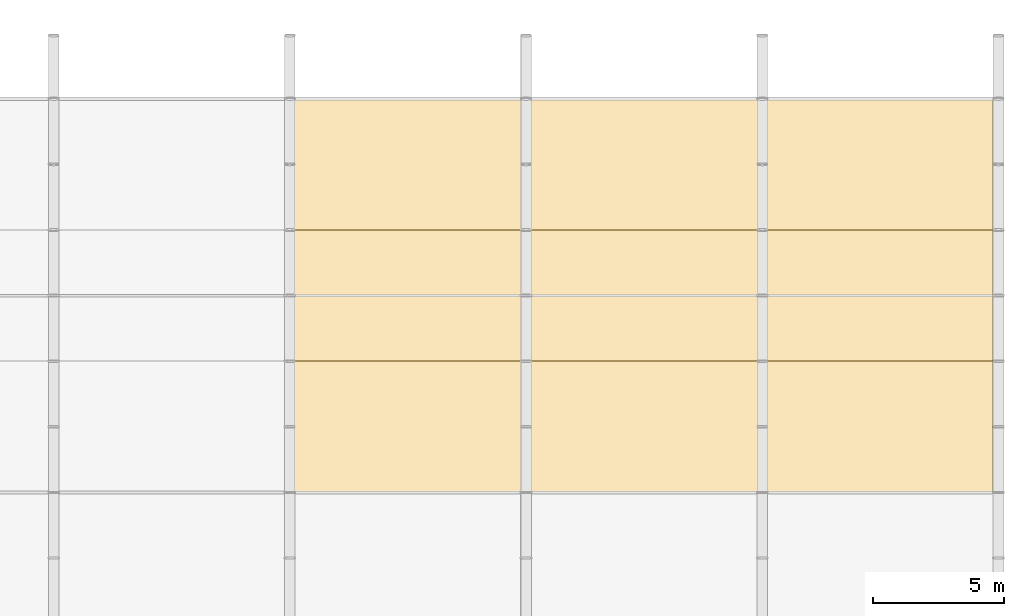
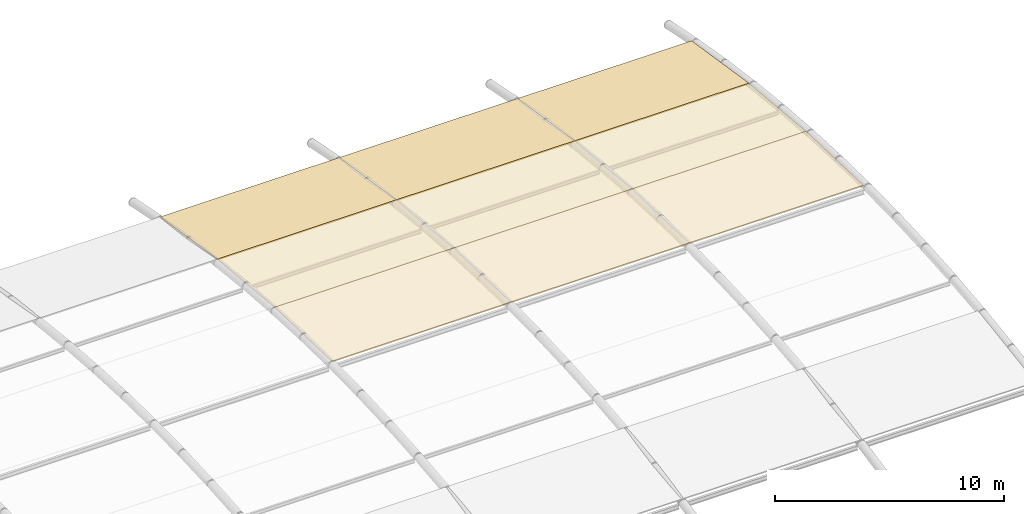
# One storey, part 104 of 105: 9 coverings.
"""IFC4 building model written with IfcOpenShell, lengths in metres."""

import ifcopenshell
import ifcopenshell.guid

model = None  # the IFC model being written
_history = None  # IfcOwnerHistory: only IFC2X3 demands one
_inside = {}  # id of a spatial element -> (the spatial element, [elements in it])
_under = {}  # id of a project, library or spatial element -> (it, [spatial elements below it])
_declared = {}  # id of a project -> (the project, [libraries it declares])
_typed = {}  # id of a type object -> (the type object, [elements of that type])
_made_of = {}  # id of a material, layer set ... -> (it, [elements and type objects made of it])


def new_model(schema):
    """Start an empty IFC model of exactly this schema.

    Asked for "IFC4X3", IfcOpenShell would pick the latest addendum, in which some entities
    have other attributes; the version numbers below select the first issue.
    IFC2X3 requires an IfcOwnerHistory on every rooted entity: one is made here for all.
    """
    global model, _history
    if schema == "IFC4X3":
        model = ifcopenshell.file(schema_version=(4, 3, 0, 0))
    else:
        model = ifcopenshell.file(schema=schema)
    _inside.clear()
    _under.clear()
    _declared.clear()
    _typed.clear()
    _made_of.clear()
    _history = None
    if model.schema == "IFC2X3":
        org = make("IfcOrganization", Name="unknown")
        user = make(
            "IfcPersonAndOrganization",
            ThePerson=make("IfcPerson", FamilyName="unknown"),
            TheOrganization=org,
        )
        app = make(
            "IfcApplication",
            ApplicationDeveloper=org,
            Version="unknown",
            ApplicationFullName="unknown",
            ApplicationIdentifier="unknown",
        )
        _history = make(
            "IfcOwnerHistory",
            OwningUser=user,
            OwningApplication=app,
            ChangeAction="ADDED",
            CreationDate=0,
        )
    return model


def make(cls, **values):
    """One entity of the class cls with the attributes given. An attribute that is None is left unset."""
    return model.create_entity(
        cls, **{name: value for name, value in values.items() if value is not None}
    )


def rooted(cls, **values):
    """An entity with a GlobalId (a new one), such as an element, a storey or a relation."""
    return make(cls, GlobalId=ifcopenshell.guid.new(), OwnerHistory=_history, **values)


def si_unit(unit_type, name, prefix=None):
    """IfcSIUnit, for example si_unit("LENGTHUNIT", "METRE", prefix="MILLI")."""
    return make("IfcSIUnit", UnitType=unit_type, Prefix=prefix, Name=name)


def assignment(units):
    """IfcUnitAssignment: the units of a project."""
    return None if units is None else make("IfcUnitAssignment", Units=units)


def point(xyz):
    """IfcCartesianPoint."""
    return None if xyz is None else make("IfcCartesianPoint", Coordinates=xyz)


def direction(xyz):
    """IfcDirection."""
    return None if xyz is None else make("IfcDirection", DirectionRatios=xyz)


def frame(location, z_axis=None, x_axis=None):
    """IfcAxis2Placement3D, a coordinate frame: its origin and axes. An axis left out is left unset."""
    return make(
        "IfcAxis2Placement3D",
        Location=point(location),
        Axis=direction(z_axis),
        RefDirection=direction(x_axis),
    )


def origin():
    """The frame at (0, 0, 0) with its axes left unset."""
    return frame((0.0, 0.0, 0.0))


def place(relative_to, where):
    """IfcLocalPlacement: puts the frame where relative to a parent placement (None: the world)."""
    return make(
        "IfcLocalPlacement", PlacementRelTo=relative_to, RelativePlacement=where
    )


def context(
    kind, dimensions, precision=None, world=None, true_north=None, identifier=None
):
    """IfcGeometricRepresentationContext, for example the 3D "Model" context."""
    return make(
        "IfcGeometricRepresentationContext",
        ContextIdentifier=identifier,
        ContextType=kind,
        CoordinateSpaceDimension=dimensions,
        Precision=precision,
        WorldCoordinateSystem=world,
        TrueNorth=true_north,
    )


def subcontext(parent, identifier, kind, view, scale=None):
    """IfcGeometricRepresentationSubContext, for example "Body" below "Model"."""
    return make(
        "IfcGeometricRepresentationSubContext",
        ContextIdentifier=identifier,
        ContextType=kind,
        ParentContext=parent,
        TargetScale=scale,
        TargetView=view,
    )


def project(units=None, contexts=None):
    """IfcProject with its units and contexts."""
    return rooted(
        "IfcProject",
        Name="project",
        RepresentationContexts=contexts,
        UnitsInContext=assignment(units),
    )


def spatial(cls, under=None, at=None, **own):
    """A site, building, storey or space (cls), placed at a placement, below another one or the project."""
    s = rooted(cls, ObjectPlacement=at, **own)
    if under is not None:
        _under.setdefault(under.id(), (under, []))[1].append(s)
    return s


def polyline(points):
    """IfcPolyline through the points."""
    return make("IfcPolyline", Points=[point(p) for p in points])


def outline(outer, holes=None, kind="AREA"):
    """IfcArbitraryClosedProfileDef: a profile drawn as a closed curve; with holes, ...WithVoids."""
    if holes is None:
        return make("IfcArbitraryClosedProfileDef", ProfileType=kind, OuterCurve=outer)
    return make(
        "IfcArbitraryProfileDefWithVoids",
        ProfileType=kind,
        OuterCurve=outer,
        InnerCurves=holes,
    )


def extrude(swept, where, along, depth):
    """IfcExtrudedAreaSolid: the profile swept, set in the frame where, extruded along a direction by depth."""
    return make(
        "IfcExtrudedAreaSolid",
        SweptArea=swept,
        Position=where,
        ExtrudedDirection=direction(along),
        Depth=depth,
    )


def shape(context_of_items, identifier, shape_type, items):
    """IfcShapeRepresentation: the items that make up one representation, for example the "Body"."""
    return make(
        "IfcShapeRepresentation",
        ContextOfItems=context_of_items,
        RepresentationIdentifier=identifier,
        RepresentationType=shape_type,
        Items=items,
    )


def material(Name=None, Category=None):
    """IfcMaterial."""
    return make("IfcMaterial", Name=Name, Category=Category)


def layer(
    of_material, thickness, ventilated=None, Name=None, Category=None, Priority=None
):
    """IfcMaterialLayer: one layer of a wall or slab, of a material (None: an air gap)."""
    return make(
        "IfcMaterialLayer",
        Material=of_material,
        LayerThickness=thickness,
        IsVentilated=ventilated,
        Name=Name,
        Category=Category,
        Priority=Priority,
    )


def layer_set(layers, Name=None):
    """IfcMaterialLayerSet."""
    return make("IfcMaterialLayerSet", MaterialLayers=layers, LayerSetName=Name)


def made_of(thing, what):
    """Note that an element or type object is made of a material, layer set ...; save() writes the relation."""
    if what is not None:
        _made_of.setdefault(what.id(), (what, []))[1].append(thing)
    return thing


def type_object(cls, material=None, **own):
    """A type object (cls), such as IfcWallType, which elements share."""
    return made_of(rooted(cls, **own), material)


def element(
    cls,
    number,
    at=None,
    inside=None,
    cuts=None,
    type_object=None,
    material=None,
    context=None,
    identifier="Body",
    shape_type=None,
    held_by="IfcProductDefinitionShape",
    body=None,
    shapes=None,
    **own,
):
    """One element of the class cls, such as IfcWall. Its Tag is "e" and its number.

    at: its placement. inside: the storey or other place that contains it. cuts: it is an
    opening in that element (IfcRelVoidsElement). A single representation is given by context,
    identifier, shape_type and body (its items); several are given by shapes. held_by: the class
    of the entity that holds the representations. save() writes the other relations.
    """
    e = rooted(cls, Tag="e%d" % number, ObjectPlacement=at, **own)
    if body is not None:
        shapes = [shape(context, identifier, shape_type, body)]
    if shapes is not None:
        e.Representation = make(held_by, Representations=shapes)
    if inside is not None:
        _inside.setdefault(inside.id(), (inside, []))[1].append(e)
    if cuts is not None:
        rooted(
            "IfcRelVoidsElement", RelatingBuildingElement=cuts, RelatedOpeningElement=e
        )
    if type_object is not None:
        _typed.setdefault(type_object.id(), (type_object, []))[1].append(e)
    return made_of(e, material)


def aggregate(whole, parts):
    """IfcRelAggregates: a whole, such as a stair, and the parts it consists of."""
    return rooted("IfcRelAggregates", RelatingObject=whole, RelatedObjects=parts)


def save(model, path):
    """Write the relations noted so far, then the file.

    IfcRelAggregates (storeys below a building ...), IfcRelContainedInSpatialStructure (elements
    in a storey), IfcRelDefinesByType, IfcRelAssociatesMaterial and IfcRelDeclares: one each for
    every whole, place, type object, material and project.
    """
    for whole, parts in _under.values():
        aggregate(whole, parts)
    for where, things in _inside.values():
        rooted(
            "IfcRelContainedInSpatialStructure",
            RelatedElements=things,
            RelatingStructure=where,
        )
    for kind, things in _typed.values():
        rooted("IfcRelDefinesByType", RelatedObjects=things, RelatingType=kind)
    for what, things in _made_of.values():
        rooted("IfcRelAssociatesMaterial", RelatedObjects=things, RelatingMaterial=what)
    for by, libraries in _declared.values():
        rooted("IfcRelDeclares", RelatingContext=by, RelatedDefinitions=libraries)
    model.write(path)


model = new_model("IFC4")

# Units and contexts
model_context = context("Model", 3, precision=1e-05, world=origin(), true_north=direction((0.0, 1.0)))
body_context = subcontext(model_context, "Body", "Model", "MODEL_VIEW")
ifc_project = project(units=[si_unit("LENGTHUNIT", "METRE"), si_unit("AREAUNIT", "SQUARE_METRE"), si_unit("VOLUMEUNIT", "CUBIC_METRE"), si_unit("PLANEANGLEUNIT", "RADIAN"), si_unit("MASSUNIT", "GRAM", prefix="KILO")], contexts=[model_context])

# Site, building, storey
site_placement = place(None, origin())
site = spatial("IfcSite", under=ifc_project, at=site_placement, CompositionType="ELEMENT")
building_placement = place(site_placement, origin())
building = spatial("IfcBuilding", under=site, at=building_placement, Name="Marlcrest Central Station", CompositionType="ELEMENT")
storey_placement = place(building_placement, frame((0.0, 0.0, 15.0)))
storey = spatial("IfcBuildingStorey", under=building, at=storey_placement, Name="L03", CompositionType="ELEMENT", Elevation=15.0)

# Coverings
ifc_material_1 = material(Name="Standing-seam marine-coated aluminium roofing", Category="aluminium")
ifc_layer_1 = layer(ifc_material_1, 0.06494140625, Name="CV-RF2")
ifc_layer_set_1 = layer_set([ifc_layer_1], Name="Standing-seam marine-coated aluminium roofing")
covering_type_1 = type_object("IfcCoveringType", Name="CV-RF2", PredefinedType="ROOFING", material=ifc_layer_set_1)
for number, where, z_axis, x_axis, name in (
    (1, (189.0, 76.0, 1.37939453125), (0.0, 0.153293462578, 0.98818070935), (1.0, 0.0, 0.0), "cov-shed-0196"),
    (2, (198.0, 76.0, 1.37939453125), (0.0, 0.153293462578, 0.98818070935), (1.0, 0.0, 0.0), "cov-shed-0210"),
):
    element("IfcCovering", number, at=place(storey_placement, frame(where, z_axis=z_axis, x_axis=x_axis)), inside=storey, type_object=covering_type_1, Name=name, PredefinedType="ROOFING", context=body_context, shape_type="SweptSolid", body=[
        extrude(outline(polyline([(0.0, 0.0), (9.0, 0.0), (9.0, 5.059803285666958), (0.0, 5.059803285666958), (0.0, 0.0)])), origin(), (0.0, 0.0, -1.0), 0.06494140625),
    ])
covering_1_placement = place(storey_placement, frame((207.0, 76.0, 1.37939453125), z_axis=(0.0, 0.153293462578, 0.98818070935), x_axis=(1.0, 0.0, 0.0)))
element("IfcCovering", 3, at=covering_1_placement, inside=storey, type_object=covering_type_1, Name="cov-shed-0224", PredefinedType="ROOFING", context=body_context, shape_type="SweptSolid", body=[
    extrude(outline(polyline([(0.0, 0.0), (8.780029296875, 0.0), (8.780029296875, 5.059803285666958), (0.0, 5.059803285666958), (0.0, 0.0)])), origin(), (0.0, 0.0, -1.0), 0.06494140625),
])
ifc_material_2 = material(Name="Translucent GRP barrel crown roof panel")
ifc_layer_2 = layer(ifc_material_2, 0.054931640625, Name="CV-SK1")
ifc_layer_set_2 = layer_set([ifc_layer_2], Name="Translucent GRP barrel crown roof panel")
covering_type_2 = type_object("IfcCoveringType", Name="CV-SK1", PredefinedType="ROOFING", material=ifc_layer_set_2)
covering_2_placement = place(storey_placement, frame((189.0, 66.0, 2.0), z_axis=(0.0, 0.030990966165, 0.999519664647), x_axis=(1.0, 0.0, 0.0)))
element("IfcCovering", 4, at=covering_2_placement, inside=storey, type_object=covering_type_2, Name="cov-shed-0194", PredefinedType="ROOFING", context=body_context, shape_type="SweptSolid", body=[
    extrude(outline(polyline([(0.0, 0.0), (9.0, 0.0), (9.0, 5.0024028309293085), (0.0, 5.0024028309293085), (0.0, 0.0)])), origin(), (0.0, 0.0, -1.0), 0.054931640625),
])
covering_3_placement = place(storey_placement, frame((189.0, 71.0, 1.844970703125), z_axis=(0.0, 0.092714165239, 0.995692765648), x_axis=(1.0, 0.0, 0.0)))
element("IfcCovering", 5, at=covering_3_placement, inside=storey, type_object=covering_type_2, Name="cov-shed-0195", PredefinedType="ROOFING", context=body_context, shape_type="SweptSolid", body=[
    extrude(outline(polyline([(0.0, 0.0), (9.0, 0.0), (9.0, 5.0216293343712435), (0.0, 5.0216293343712435), (0.0, 0.0)])), origin(), (0.0, 0.0, -1.0), 0.054931640625),
])
covering_4_placement = place(storey_placement, frame((198.0, 66.0, 2.0), z_axis=(0.0, 0.030990966165, 0.999519664647), x_axis=(1.0, 0.0, 0.0)))
element("IfcCovering", 6, at=covering_4_placement, inside=storey, type_object=covering_type_2, Name="cov-shed-0208", PredefinedType="ROOFING", context=body_context, shape_type="SweptSolid", body=[
    extrude(outline(polyline([(0.0, 0.0), (9.0, 0.0), (9.0, 5.0024028309293085), (0.0, 5.0024028309293085), (0.0, 0.0)])), origin(), (0.0, 0.0, -1.0), 0.054931640625),
])
covering_5_placement = place(storey_placement, frame((198.0, 71.0, 1.844970703125), z_axis=(0.0, 0.092714165239, 0.995692765648), x_axis=(1.0, 0.0, 0.0)))
element("IfcCovering", 7, at=covering_5_placement, inside=storey, type_object=covering_type_2, Name="cov-shed-0209", PredefinedType="ROOFING", context=body_context, shape_type="SweptSolid", body=[
    extrude(outline(polyline([(0.0, 0.0), (9.0, 0.0), (9.0, 5.0216293343712435), (0.0, 5.0216293343712435), (0.0, 0.0)])), origin(), (0.0, 0.0, -1.0), 0.054931640625),
])
covering_6_placement = place(storey_placement, frame((207.0, 66.0, 2.0), z_axis=(0.0, 0.030990966165, 0.999519664647), x_axis=(1.0, 0.0, 0.0)))
element("IfcCovering", 8, at=covering_6_placement, inside=storey, type_object=covering_type_2, Name="cov-shed-0222", PredefinedType="ROOFING", context=body_context, shape_type="SweptSolid", body=[
    extrude(outline(polyline([(0.0, 0.0), (8.780029296875, 0.0), (8.780029296875, 5.002402830929308), (0.0, 5.002402830929308), (0.0, 0.0)])), origin(), (0.0, 0.0, -1.0), 0.054931640625),
])
covering_7_placement = place(storey_placement, frame((207.0, 71.0, 1.844970703125), z_axis=(0.0, 0.092714165239, 0.995692765648), x_axis=(1.0, 0.0, 0.0)))
element("IfcCovering", 9, at=covering_7_placement, inside=storey, type_object=covering_type_2, Name="cov-shed-0223", PredefinedType="ROOFING", context=body_context, shape_type="SweptSolid", body=[
    extrude(outline(polyline([(0.0, 0.0), (8.780029296875, 0.0), (8.780029296875, 5.0216293343712435), (0.0, 5.0216293343712435), (0.0, 0.0)])), origin(), (0.0, 0.0, -1.0), 0.054931640625),
])

save(model, "model.ifc")
